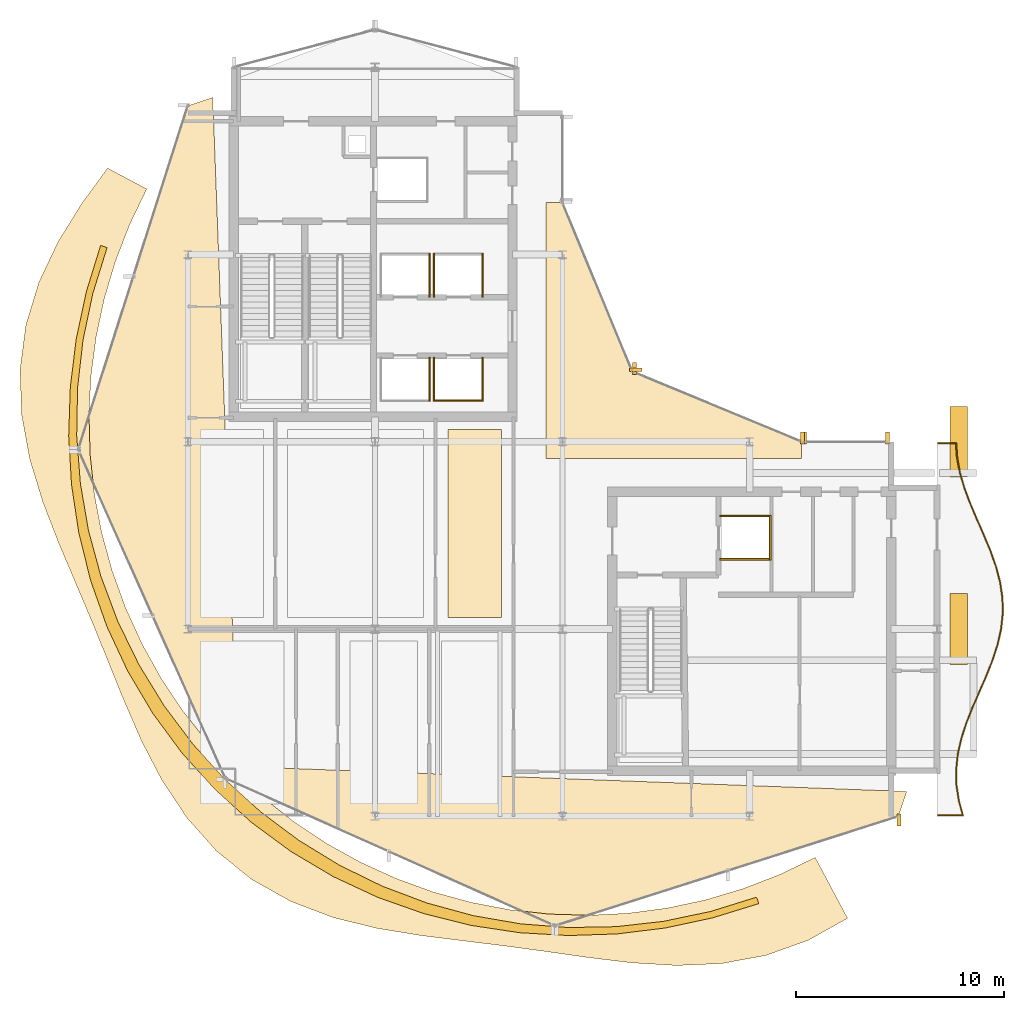
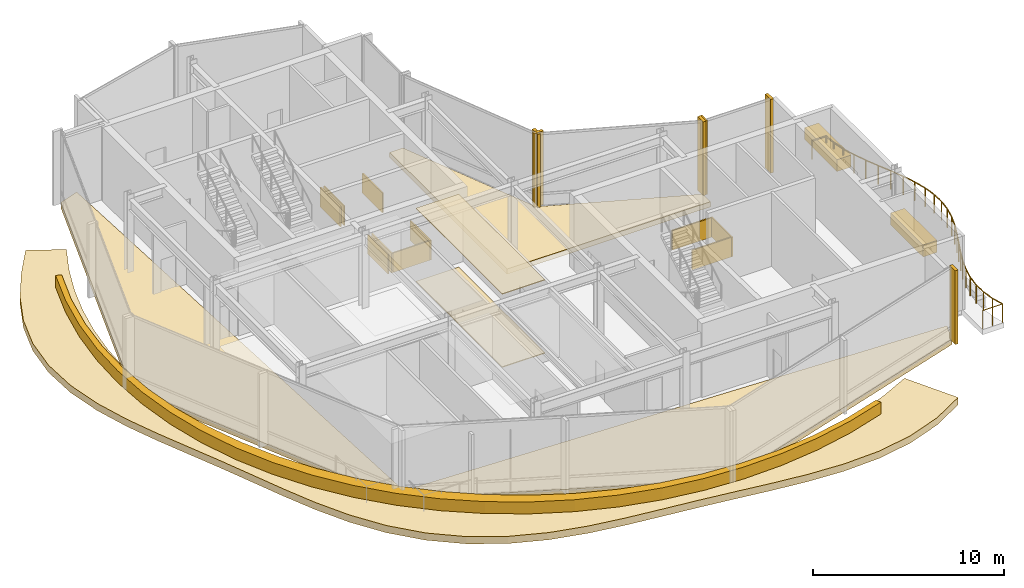
# One storey, part 21 of 23: 26 railings, 24 coverings.
"""IFC4 building model written with IfcOpenShell, lengths in metres."""

from ifc_helpers import new_model, si_unit, direction, frame, origin, origin_2d, place, context, subcontext, project, spatial, polyline, rectangle, circle, outline, extrude, material, layer, layer_set, type_object, element, save


model = new_model("IFC4")

# Units and contexts
model_context = context("Model", 3, precision=1e-05, world=origin(), true_north=direction((0.0, 1.0)))
body_context = subcontext(model_context, "Body", "Model", "MODEL_VIEW")
ifc_project = project(units=[si_unit("LENGTHUNIT", "METRE"), si_unit("AREAUNIT", "SQUARE_METRE"), si_unit("VOLUMEUNIT", "CUBIC_METRE"), si_unit("PLANEANGLEUNIT", "RADIAN"), si_unit("MASSUNIT", "GRAM", prefix="KILO")], contexts=[model_context])

# Site, building, storey
site_placement = place(None, origin())
site = spatial("IfcSite", under=ifc_project, at=site_placement, CompositionType="ELEMENT")
building_placement = place(site_placement, origin())
building = spatial("IfcBuilding", under=site, at=building_placement, Name="Solvaryn Broadcast Tower", CompositionType="ELEMENT")
storey_placement = place(building_placement, frame((0.0, 0.0, 235.800048828125)))
storey = spatial("IfcBuildingStorey", under=building, at=storey_placement, Name="L59", CompositionType="ELEMENT", Elevation=235.800048828125)

# Coverings
ifc_material_1 = material(Name="Micro-Perforated Acoustic Gypsum Ceiling", Category="concrete")
ifc_layer_1 = layer(ifc_material_1, 0.0400390625)
ifc_layer_set_1 = layer_set([ifc_layer_1], Name="CV-CEIL-ACOUSTIC")
covering_type_1 = type_object("IfcCoveringType", Name="CV-CEIL-ACOUSTIC", PredefinedType="CEILING", material=ifc_layer_set_1)
covering_1_placement = place(storey_placement, frame((0.0, 0.0, 4.679931640625)))
element("IfcCovering", 1, at=covering_1_placement, inside=storey, type_object=covering_type_1, Name="L59 Room Acoustic Ceiling 3", PredefinedType="CEILING", context=body_context, shape_type="SweptSolid", body=[
    extrude(outline(polyline([(21.5, 18.570068359375), (24.080078125, 18.570068359375), (24.080078125, 27.60009765625), (21.5, 27.60009765625), (21.5, 18.570068359375)])), origin(), (0.0, 0.0, 1.0), 0.0400390625),
])
ifc_material_2 = material(Name="Newsroom Raised Data Access Flooring", Category="steel")
ifc_layer_2 = layer(ifc_material_2, 0.050048828125)
ifc_layer_set_2 = layer_set([ifc_layer_2], Name="CV-FLOOR-RAISED")
covering_type_2 = type_object("IfcCoveringType", Name="CV-FLOOR-RAISED", PredefinedType="FLOORING", material=ifc_layer_set_2)
covering_2_placement = place(storey_placement, origin())
element("IfcCovering", 2, at=covering_2_placement, inside=storey, type_object=covering_type_2, Name="L59 Room Acoustic Floor Finish 3", PredefinedType="FLOORING", context=body_context, shape_type="SweptSolid", body=[
    extrude(outline(polyline([(21.5, 18.570068359375), (24.080078125, 18.570068359375), (24.080078125, 27.60009765625), (21.5, 27.60009765625), (21.5, 18.570068359375)])), origin(), (0.0, 0.0, 1.0), 0.050048828125),
])
ifc_material_3 = material(Name="Fire-Rated Gypsum Shaftwall Liner", Category="concrete")
ifc_layer_3 = layer(ifc_material_3, 0.080078125)
ifc_layer_set_3 = layer_set([ifc_layer_3], Name="CV-SHAFT-LINER")
covering_type_3 = type_object("IfcCoveringType", Name="CV-SHAFT-LINER", PredefinedType="CLADDING", material=ifc_layer_set_3)
covering_3_placement = place(storey_placement, frame((20.614990234375, 30.0, 0.0), z_axis=(0.0, 0.0, 1.0), x_axis=(1.0, 0.0, 0.0)))
element("IfcCovering", 3, at=covering_3_placement, inside=storey, type_object=covering_type_3, Name="L59 PH1 Hoistway Shaft Liner East", PredefinedType="CLADDING", context=body_context, shape_type="SweptSolid", body=[
    extrude(rectangle(XDim=0.080078125, YDim=2.110107421875, at=origin_2d()), origin(), (0.0, 0.0, 1.0), 1.25),
])
covering_4_placement = place(storey_placement, frame((22.0, 28.985107421875, 0.0), z_axis=(0.0, 0.0, 1.0), x_axis=(1.0, 0.0, 0.0)))
element("IfcCovering", 4, at=covering_4_placement, inside=storey, type_object=covering_type_3, Name="L59 PH2 Hoistway Shaft Liner South", PredefinedType="CLADDING", context=body_context, shape_type="SweptSolid", body=[
    extrude(rectangle(XDim=2.409912109375, YDim=0.080078125, at=origin_2d()), origin(), (0.0, 0.0, 1.0), 1.25),
])
for number, where, z_axis, x_axis, name in (
    (5, (23.1650390625, 30.0, 0.0), (0.0, 0.0, 1.0), (1.0, 0.0, 0.0), "L59 PH2 Hoistway Shaft Liner East"),
    (6, (20.8349609375, 30.0, 0.0), (0.0, 0.0, 1.0), (1.0, 0.0, 0.0), "L59 PH2 Hoistway Shaft Liner West"),
    (7, (20.614990234375, 35.0, 0.0), (0.0, 0.0, 1.0), (1.0, 0.0, 0.0), "L59 PH3 Hoistway Shaft Liner East"),
    (8, (23.1650390625, 35.0, 0.0), (0.0, 0.0, 1.0), (1.0, 0.0, 0.0), "L59 PH4 Hoistway Shaft Liner East"),
    (9, (20.8349609375, 35.0, 0.0), (0.0, 0.0, 1.0), (1.0, 0.0, 0.0), "L59 PH4 Hoistway Shaft Liner West"),
):
    element("IfcCovering", number, at=place(storey_placement, frame(where, z_axis=z_axis, x_axis=x_axis)), inside=storey, type_object=covering_type_3, Name=name, PredefinedType="CLADDING", context=body_context, shape_type="SweptSolid", body=[
        extrude(rectangle(XDim=0.080078125, YDim=2.110107421875, at=origin_2d()), origin(), (0.0, 0.0, 1.0), 1.25),
    ])
for number, where, z_axis, x_axis, name in (
    (10, (35.800048828125, 23.43994140625, 0.0), (0.0, 0.0, 1.0), (1.0, 0.0, 0.0), "L59 FL2 Hoistway Shaft Liner North"),
    (11, (35.800048828125, 21.360107421875, 0.0), (0.0, 0.0, 1.0), (1.0, 0.0, 0.0), "L59 FL2 Hoistway Shaft Liner South"),
):
    element("IfcCovering", number, at=place(storey_placement, frame(where, z_axis=z_axis, x_axis=x_axis)), inside=storey, type_object=covering_type_3, Name=name, PredefinedType="CLADDING", context=body_context, shape_type="SweptSolid", body=[
        extrude(rectangle(XDim=2.4599609375, YDim=0.080078125, at=origin_2d()), origin(), (0.0, 0.0, 1.0), 1.25),
    ])
covering_5_placement = place(storey_placement, frame((36.989990234375, 22.39990234375, 0.0), z_axis=(0.0, 0.0, 1.0), x_axis=(1.0, 0.0, 0.0)))
element("IfcCovering", 12, at=covering_5_placement, inside=storey, type_object=covering_type_3, Name="L59 FL2 Hoistway Shaft Liner East", PredefinedType="CLADDING", context=body_context, shape_type="SweptSolid", body=[
    extrude(rectangle(XDim=0.080078125, YDim=2.159912109375, at=origin_2d()), origin(), (0.0, 0.0, 1.0), 1.25),
])
ifc_material_4 = material(Name="Glazed Architectural Terracotta Rainscreen Cladding", Category="masonry")
ifc_layer_4 = layer(ifc_material_4, 0.280029296875)
ifc_layer_set_4 = layer_set([ifc_layer_4], Name="CV-TC-CLAD")
covering_type_4 = type_object("IfcCoveringType", Name="CV-TC-CLAD", PredefinedType="CLADDING", material=ifc_layer_set_4)
covering_6_placement = place(storey_placement, origin())
element("IfcCovering", 13, at=covering_6_placement, inside=storey, type_object=covering_type_4, Name="L59 Drum Ring Terrace Planter Parapet", PredefinedType="CLADDING", context=body_context, shape_type="SweptSolid", body=[
    extrude(outline(polyline([(4.81201171875, 36.43994140625), (4.125, 34.2119140625), (3.636962890625, 31.930908203125), (3.35302734375, 29.614990234375), (3.27587890625, 27.281005859375), (3.412109375, 24.945068359375), (3.761962890625, 22.626953125), (4.3291015625, 20.346923828125), (5.112060546875, 18.126953125), (6.10888671875, 15.989990234375), (7.31298828125, 13.958984375), (8.715087890625, 12.054931640625), (10.301025390625, 10.301025390625), (12.054931640625, 8.715087890625), (13.958984375, 7.31298828125), (15.989990234375, 6.10888671875), (18.126953125, 5.112060546875), (20.346923828125, 4.3291015625), (22.626953125, 3.761962890625), (24.945068359375, 3.412109375), (27.281005859375, 3.27587890625), (29.614990234375, 3.35302734375), (31.930908203125, 3.636962890625), (34.2119140625, 4.125), (36.43994140625, 4.81201171875), (36.327880859375, 5.117919921875), (34.131103515625, 4.43408203125), (31.87890625, 3.9609375), (29.593017578125, 3.701904296875), (27.2919921875, 3.659912109375), (24.9970703125, 3.8359375), (22.72998046875, 4.22705078125), (20.509033203125, 4.8310546875), (18.35498046875, 5.64111328125), (16.2880859375, 6.652099609375), (14.324951171875, 7.85302734375), (12.48388671875, 9.23291015625), (10.781982421875, 10.781982421875), (9.23291015625, 12.48388671875), (7.85302734375, 14.324951171875), (6.652099609375, 16.2880859375), (5.64111328125, 18.35498046875), (4.8310546875, 20.509033203125), (4.22705078125, 22.72998046875), (3.8359375, 24.9970703125), (3.659912109375, 27.2919921875), (3.701904296875, 29.593017578125), (3.9609375, 31.87890625), (4.43408203125, 34.131103515625), (5.117919921875, 36.327880859375), (4.81201171875, 36.43994140625)])), origin(), (0.0, 0.0, 1.0), 0.89990234375),
])
for number, where, z_axis, x_axis, name in (
    (14, (46.050048828125, 18.0, 0.0), (0.0, 0.0, 1.0), (1.0, 0.0, 0.0), "L59 Sky-Garden Planter Bed 1"),
    (15, (46.050048828125, 27.0, 0.0), (0.0, 0.0, 1.0), (1.0, 0.0, 0.0), "L59 Sky-Garden Planter Bed 2"),
):
    element("IfcCovering", number, at=place(storey_placement, frame(where, z_axis=z_axis, x_axis=x_axis)), inside=storey, type_object=covering_type_4, Name=name, PredefinedType="CLADDING", context=body_context, shape_type="SweptSolid", body=[
        extrude(rectangle(XDim=0.85009765625, YDim=3.39990234375, at=origin_2d()), origin(), (0.0, 0.0, 1.0), 0.760009765625),
    ])
ifc_material_5 = material(Name="Extruded Architectural Terracotta Fin", Category="masonry")
ifc_layer_5 = layer(ifc_material_5, 0.179931640625)
ifc_layer_set_5 = layer_set([ifc_layer_5], Name="CV-TC-FIN")
covering_type_5 = type_object("IfcCoveringType", Name="CV-TC-FIN", PredefinedType="USERDEFINED", material=ifc_layer_set_5)
for number, where, z_axis, x_axis, name in (
    (16, (43.17529296875, 8.819091796875, 0.0), (0.0, 0.0, 1.0), (1.0, 0.0, 0.0), "L59 Terracotta Vertical Fin FIN-L59-DR4-M02"),
    (17, (38.541259765625, 27.177978515625, 0.0), (0.0, 0.0, 1.0), (1.0, 0.0, 0.0), "L59 Terracotta Vertical Fin FIN-L59-CN1-M00"),
    (18, (30.464599609375, 30.52294921875, 0.0), (0.0, 0.0, 1.0), (1.0, 0.0, 0.0), "L59 Terracotta Vertical Fin FIN-L59-CN1-M01"),
):
    element("IfcCovering", number, at=place(storey_placement, frame(where, z_axis=z_axis, x_axis=x_axis)), inside=storey, type_object=covering_type_5, Name=name, ObjectType="FIN", PredefinedType="USERDEFINED", context=body_context, shape_type="SweptSolid", body=[
        extrude(rectangle(XDim=0.179931640625, YDim=0.580078125, at=origin_2d()), origin(), (0.0, 0.0, 1.0), 4.719970703125),
    ])
covering_7_placement = place(storey_placement, frame((30.52294921875, 30.464599609375, 0.0), z_axis=(0.0, 0.0, 1.0), x_axis=(1.0, 0.0, 0.0)))
element("IfcCovering", 19, at=covering_7_placement, inside=storey, type_object=covering_type_5, Name="L59 Terracotta Vertical Fin FIN-L59-CN2-M00", ObjectType="FIN", PredefinedType="USERDEFINED", context=body_context, shape_type="SweptSolid", body=[
    extrude(rectangle(XDim=0.580078125, YDim=0.179931640625, at=origin_2d()), origin(), (0.0, 0.0, 1.0), 4.719970703125),
])
for number, where, z_axis, x_axis, name in (
    (20, (38.6298828125, 27.1875, 0.0), (0.0, 0.0, 1.0), (1.0, 0.0, 0.0), "L59 Terracotta Vertical Fin FIN-L59-IH-M00"),
    (21, (42.6201171875, 27.1875, 0.0), (0.0, 0.0, 1.0), (1.0, 0.0, 0.0), "L59 Terracotta Vertical Fin FIN-L59-IH-M01"),
):
    element("IfcCovering", number, at=place(storey_placement, frame(where, z_axis=z_axis, x_axis=x_axis)), inside=storey, type_object=covering_type_5, Name=name, ObjectType="FIN", PredefinedType="USERDEFINED", context=body_context, shape_type="SweptSolid", body=[
        extrude(rectangle(XDim=0.179931640625, YDim=0.580078125, at=origin_2d()), origin(), (0.0, 0.0, 1.0), 4.719970703125),
    ])
ifc_material_6 = material(Name="Sculpted Architectural Terracotta Wave Fascia", Category="masonry")
ifc_layer_6 = layer(ifc_material_6, 0.340087890625)
ifc_layer_set_6 = layer_set([ifc_layer_6], Name="CV-WAVE-TRAY")
covering_type_6 = type_object("IfcCoveringType", Name="CV-WAVE-TRAY", PredefinedType="CLADDING", material=ifc_layer_set_6)
covering_8_placement = place(storey_placement, frame((0.0, 0.0, -0.300048828125)))
element("IfcCovering", 22, at=covering_8_placement, inside=storey, type_object=covering_type_6, Name="L59 Stepped Cylindrical Drum Floor Apron", PredefinedType="CLADDING", context=body_context, shape_type="SweptSolid", body=[
    extrude(outline(polyline([(10.199951171875, 43.549072265625), (9.0, 43.14892578125), (3.738037109375, 26.635986328125), (10.81689453125, 10.81689453125), (26.635986328125, 3.738037109375), (43.14892578125, 9.0), (43.14892578125, 9.0), (43.549072265625, 10.199951171875), (11.39990234375, 11.39990234375), (10.199951171875, 43.549072265625)])), origin(), (0.0, 0.0, 1.0), 0.330078125),
])
covering_9_placement = place(storey_placement, frame((0.0, 0.0, -0.300048828125)))
element("IfcCovering", 23, at=covering_9_placement, inside=storey, type_object=covering_type_6, Name="L59 Concave Canyon Floor Apron", PredefinedType="CLADDING", context=body_context, shape_type="SweptSolid", body=[
    extrude(outline(polyline([(26.199951171875, 26.199951171875), (38.5, 26.199951171875), (38.5, 27.0), (30.367919921875, 30.367919921875), (27.0, 38.5), (26.199951171875, 38.5), (26.199951171875, 26.199951171875)])), origin(), (0.0, 0.0, 1.0), 0.330078125),
])
covering_10_placement = place(storey_placement, frame((0.0, 0.0, -0.320068359375)))
element("IfcCovering", 24, at=covering_10_placement, inside=storey, type_object=covering_type_6, Name="L59 Stepped Cylindrical Drum Wave Ring Terrace", PredefinedType="CLADDING", context=body_context, shape_type="SweptSolid", body=[
    extrude(outline(polyline([(5.14306640625, 40.153076171875), (3.89990234375, 38.447998046875), (2.76904296875, 36.6259765625), (1.844970703125, 34.673095703125), (1.216064453125, 32.60205078125), (0.93603515625, 30.45703125), (1.012939453125, 28.2939453125), (1.403076171875, 26.1689453125), (2.027099609375, 24.117919921875), (2.787109375, 22.14990234375), (3.593994140625, 20.24609375), (4.387939453125, 18.3701171875), (5.155029296875, 16.485107421875), (5.926025390625, 14.572021484375), (6.764892578125, 12.64306640625), (7.7490234375, 10.741943359375), (8.943115234375, 8.943115234375), (10.383056640625, 7.327880859375), (12.06689453125, 5.969970703125), (13.9541015625, 4.908935546875), (15.97509765625, 4.14306640625), (18.06005859375, 3.626953125), (20.14697265625, 3.282958984375), (22.205078125, 3.02294921875), (24.22998046875, 2.77490234375), (26.2451171875, 2.501953125), (28.281005859375, 2.2119140625), (30.364013671875, 1.9609375), (32.49609375, 1.8349609375), (34.652099609375, 1.928955078125), (36.780029296875, 2.320068359375), (38.81689453125, 3.048095703125), (40.705078125, 4.10498046875), (39.14990234375, 7.030029296875), (37.447021484375, 6.2099609375), (35.68310546875, 5.527099609375), (33.87109375, 4.987060546875), (32.02197265625, 4.593017578125), (30.14697265625, 4.346923828125), (28.259033203125, 4.2509765625), (26.368896484375, 4.305908203125), (24.489990234375, 4.510986328125), (22.632080078125, 4.864990234375), (20.80908203125, 5.364990234375), (19.031005859375, 6.009033203125), (17.31005859375, 6.7919921875), (15.656982421875, 7.708984375), (14.08203125, 8.7548828125), (12.594970703125, 9.924072265625), (11.2060546875, 11.2060546875), (9.924072265625, 12.594970703125), (8.7548828125, 14.08203125), (7.708984375, 15.656982421875), (6.7919921875, 17.31005859375), (6.009033203125, 19.031005859375), (5.364990234375, 20.80908203125), (4.864990234375, 22.632080078125), (4.510986328125, 24.489990234375), (4.305908203125, 26.368896484375), (4.2509765625, 28.259033203125), (4.346923828125, 30.14697265625), (4.593017578125, 32.02197265625), (4.987060546875, 33.87109375), (5.527099609375, 35.68310546875), (6.2099609375, 37.447021484375), (7.030029296875, 39.14990234375), (5.14306640625, 40.153076171875)])), origin(), (0.0, 0.0, 1.0), 0.4599609375),
])

# Railings
ifc_material_7 = material(Name="Stainless Steel and Laminated Glass Guard", Category="steel")
railing_type = type_object("IfcRailingType", Name="RL-SKYG-1200", PredefinedType="BALUSTRADE", material=ifc_material_7)
railing_1_placement = place(storey_placement, frame((45.06005859375, 9.06005859375, 0.0)))
element("IfcRailing", 25, at=railing_1_placement, inside=storey, type_object=railing_type, Name="L59 Terrace Guard TSSG4-1", PredefinedType="BALUSTRADE", context=body_context, shape_type="SweptSolid", body=[
    extrude(circle(Radius=0.02392578125, at=origin_2d()), frame((0.0, 0.0, 1.17578125), z_axis=(1.0, 0.0, 0.0), x_axis=(0.0, 1.0, 0.0)), (0.0, 0.0, 1.0), 1.184326171875),
    extrude(circle(Radius=0.02099609375, at=origin_2d()), origin(), (0.0, 0.0, 1.0), 1.15185546875),
    extrude(circle(Radius=0.02099609375, at=origin_2d()), frame((0.59228515625, 0.0, 0.0)), (0.0, 0.0, 1.0), 1.15185546875),
    extrude(circle(Radius=0.02099609375, at=origin_2d()), frame((1.184326171875, 0.0, 0.0)), (0.0, 0.0, 1.0), 1.15185546875),
])
railing_2_placement = place(storey_placement, frame((46.244384765625, 9.06005859375, 0.0)))
element("IfcRailing", 26, at=railing_2_placement, inside=storey, type_object=railing_type, Name="L59 Terrace Guard TSSG4-2", PredefinedType="BALUSTRADE", context=body_context, shape_type="SweptSolid", body=[
    extrude(circle(Radius=0.02392578125, at=origin_2d()), frame((0.0, 0.0, 1.17578125), z_axis=(-0.273956928306, 0.96174196198, 0.0), x_axis=(-0.96174196198, -0.273956928306, 0.0)), (0.0, 0.0, 1.0), 0.71728515625),
    extrude(circle(Radius=0.02099609375, at=origin_2d()), origin(), (0.0, 0.0, 1.0), 1.15185546875),
    extrude(circle(Radius=0.02099609375, at=origin_2d()), frame((-0.196533203125, 0.68994140625, 0.0)), (0.0, 0.0, 1.0), 1.15185546875),
])
railing_3_placement = place(storey_placement, frame((46.0478515625, 9.75, 0.0)))
element("IfcRailing", 27, at=railing_3_placement, inside=storey, type_object=railing_type, Name="L59 Terrace Guard TSSG4-3", PredefinedType="BALUSTRADE", context=body_context, shape_type="SweptSolid", body=[
    extrude(circle(Radius=0.02392578125, at=origin_2d()), frame((0.0, 0.0, 1.17578125), z_axis=(-0.146828724135, 0.989161931015, 0.0), x_axis=(-0.989161931015, -0.146828724135, 0.0)), (0.0, 0.0, 1.0), 0.75830078125),
    extrude(circle(Radius=0.02099609375, at=origin_2d()), origin(), (0.0, 0.0, 1.0), 1.15185546875),
    extrude(circle(Radius=0.02099609375, at=origin_2d()), frame((-0.111328125, 0.75, 0.0)), (0.0, 0.0, 1.0), 1.15185546875),
])
railing_4_placement = place(storey_placement, frame((45.9365234375, 10.5, 0.0)))
element("IfcRailing", 28, at=railing_4_placement, inside=storey, type_object=railing_type, Name="L59 Terrace Guard TSSG4-4", PredefinedType="BALUSTRADE", context=body_context, shape_type="SweptSolid", body=[
    extrude(circle(Radius=0.02392578125, at=origin_2d()), frame((0.0, 0.0, 1.17578125), z_axis=(-0.021479418354, 0.99976929068, 0.0), x_axis=(-0.99976929068, -0.021479418354, 0.0)), (0.0, 0.0, 1.0), 0.750244140625),
    extrude(circle(Radius=0.02099609375, at=origin_2d()), origin(), (0.0, 0.0, 1.0), 1.15185546875),
    extrude(circle(Radius=0.02099609375, at=origin_2d()), frame((-0.01611328125, 0.75, 0.0)), (0.0, 0.0, 1.0), 1.15185546875),
])
railing_5_placement = place(storey_placement, frame((45.92041015625, 11.25, 0.0)))
element("IfcRailing", 29, at=railing_5_placement, inside=storey, type_object=railing_type, Name="L59 Terrace Guard TSSG4-5", PredefinedType="BALUSTRADE", context=body_context, shape_type="SweptSolid", body=[
    extrude(circle(Radius=0.02392578125, at=origin_2d()), frame((0.0, 0.0, 1.17578125), z_axis=(0.106167393545, 0.994348271255, 0.0), x_axis=(-0.994348271255, 0.106167393545, 0.0)), (0.0, 0.0, 1.0), 0.754150390625),
    extrude(circle(Radius=0.02099609375, at=origin_2d()), origin(), (0.0, 0.0, 1.0), 1.15185546875),
    extrude(circle(Radius=0.02099609375, at=origin_2d()), frame((0.080078125, 0.75, 0.0)), (0.0, 0.0, 1.0), 1.15185546875),
])
railing_6_placement = place(storey_placement, frame((46.00048828125, 12.0, 0.0)))
element("IfcRailing", 30, at=railing_6_placement, inside=storey, type_object=railing_type, Name="L59 Terrace Guard TSSG4-6", PredefinedType="BALUSTRADE", context=body_context, shape_type="SweptSolid", body=[
    extrude(circle(Radius=0.02392578125, at=origin_2d()), frame((0.0, 0.0, 1.17578125), z_axis=(0.22096240215, 0.975282326732, 0.0), x_axis=(-0.975282326732, 0.22096240215, 0.0)), (0.0, 0.0, 1.0), 0.76904296875),
    extrude(circle(Radius=0.02099609375, at=origin_2d()), origin(), (0.0, 0.0, 1.0), 1.15185546875),
    extrude(circle(Radius=0.02099609375, at=origin_2d()), frame((0.169921875, 0.75, 0.0)), (0.0, 0.0, 1.0), 1.15185546875),
])
railing_7_placement = place(storey_placement, frame((46.17041015625, 12.75, 0.0)))
element("IfcRailing", 31, at=railing_7_placement, inside=storey, type_object=railing_type, Name="L59 Terrace Guard TSSG4-7", PredefinedType="BALUSTRADE", context=body_context, shape_type="SweptSolid", body=[
    extrude(circle(Radius=0.02392578125, at=origin_2d()), frame((0.0, 0.0, 1.17578125), z_axis=(0.310093572003, 0.95070604111, 0.0), x_axis=(-0.95070604111, 0.310093572003, 0.0)), (0.0, 0.0, 1.0), 0.788818359375),
    extrude(circle(Radius=0.02099609375, at=origin_2d()), origin(), (0.0, 0.0, 1.0), 1.15185546875),
    extrude(circle(Radius=0.02099609375, at=origin_2d()), frame((0.24462890625, 0.75, 0.0)), (0.0, 0.0, 1.0), 1.15185546875),
])
railing_8_placement = place(storey_placement, frame((46.4150390625, 13.5, 0.0)))
element("IfcRailing", 32, at=railing_8_placement, inside=storey, type_object=railing_type, Name="L59 Terrace Guard TSSG4-8", PredefinedType="BALUSTRADE", context=body_context, shape_type="SweptSolid", body=[
    extrude(circle(Radius=0.02392578125, at=origin_2d()), frame((0.0, 0.0, 1.17578125), z_axis=(0.369616906024, 0.929184235112, 0.0), x_axis=(-0.929184235112, 0.369616906024, 0.0)), (0.0, 0.0, 1.0), 0.80712890625),
    extrude(circle(Radius=0.02099609375, at=origin_2d()), origin(), (0.0, 0.0, 1.0), 1.15185546875),
    extrude(circle(Radius=0.02099609375, at=origin_2d()), frame((0.29833984375, 0.75, 0.0)), (0.0, 0.0, 1.0), 1.15185546875),
])
for number, where, name in (
    (33, (46.71337890625, 14.25, 0.0), "L59 Terrace Guard TSSG4-9"),
    (34, (47.0400390625, 15.0, 0.0), "L59 Terrace Guard TSSG4-10"),
):
    element("IfcRailing", number, at=place(storey_placement, frame(where)), inside=storey, type_object=railing_type, Name=name, PredefinedType="BALUSTRADE", context=body_context, shape_type="SweptSolid", body=[
        extrude(circle(Radius=0.02392578125, at=origin_2d()), frame((0.0, 0.0, 1.17578125), z_axis=(0.399315321456, 0.916813652849, 0.0), x_axis=(-0.916813652849, 0.399315321456, 0.0)), (0.0, 0.0, 1.0), 0.818115234375),
        extrude(circle(Radius=0.02099609375, at=origin_2d()), origin(), (0.0, 0.0, 1.0), 1.15185546875),
        extrude(circle(Radius=0.02099609375, at=origin_2d()), frame((0.32666015625, 0.75, 0.0)), (0.0, 0.0, 1.0), 1.15185546875),
    ])
railing_9_placement = place(storey_placement, frame((47.36669921875, 15.75, 0.0)))
element("IfcRailing", 35, at=railing_9_placement, inside=storey, type_object=railing_type, Name="L59 Terrace Guard TSSG4-11", PredefinedType="BALUSTRADE", context=body_context, shape_type="SweptSolid", body=[
    extrude(circle(Radius=0.02392578125, at=origin_2d()), frame((0.0, 0.0, 1.17578125), z_axis=(0.369616906024, 0.929184235112, 0.0), x_axis=(-0.929184235112, 0.369616906024, 0.0)), (0.0, 0.0, 1.0), 0.80712890625),
    extrude(circle(Radius=0.02099609375, at=origin_2d()), origin(), (0.0, 0.0, 1.0), 1.15185546875),
    extrude(circle(Radius=0.02099609375, at=origin_2d()), frame((0.29833984375, 0.75, 0.0)), (0.0, 0.0, 1.0), 1.15185546875),
])
railing_10_placement = place(storey_placement, frame((47.6650390625, 16.5, 0.0)))
element("IfcRailing", 36, at=railing_10_placement, inside=storey, type_object=railing_type, Name="L59 Terrace Guard TSSG4-12", PredefinedType="BALUSTRADE", context=body_context, shape_type="SweptSolid", body=[
    extrude(circle(Radius=0.02392578125, at=origin_2d()), frame((0.0, 0.0, 1.17578125), z_axis=(0.310093572003, 0.95070604111, 0.0), x_axis=(-0.95070604111, 0.310093572003, 0.0)), (0.0, 0.0, 1.0), 0.788818359375),
    extrude(circle(Radius=0.02099609375, at=origin_2d()), origin(), (0.0, 0.0, 1.0), 1.15185546875),
    extrude(circle(Radius=0.02099609375, at=origin_2d()), frame((0.24462890625, 0.75, 0.0)), (0.0, 0.0, 1.0), 1.15185546875),
])
railing_11_placement = place(storey_placement, frame((47.90966796875, 17.25, 0.0)))
element("IfcRailing", 37, at=railing_11_placement, inside=storey, type_object=railing_type, Name="L59 Terrace Guard TSSG4-13", PredefinedType="BALUSTRADE", context=body_context, shape_type="SweptSolid", body=[
    extrude(circle(Radius=0.02392578125, at=origin_2d()), frame((0.0, 0.0, 1.17578125), z_axis=(0.220660396178, 0.975350700804, 0.0), x_axis=(-0.975350700804, 0.220660396178, 0.0)), (0.0, 0.0, 1.0), 0.76904296875),
    extrude(circle(Radius=0.02099609375, at=origin_2d()), origin(), (0.0, 0.0, 1.0), 1.15185546875),
    extrude(circle(Radius=0.02099609375, at=origin_2d()), frame((0.169677734375, 0.75, 0.0)), (0.0, 0.0, 1.0), 1.15185546875),
])
railing_12_placement = place(storey_placement, frame((48.079345703125, 18.0, 0.0)))
element("IfcRailing", 38, at=railing_12_placement, inside=storey, type_object=railing_type, Name="L59 Terrace Guard TSSG4-14", PredefinedType="BALUSTRADE", context=body_context, shape_type="SweptSolid", body=[
    extrude(circle(Radius=0.02392578125, at=origin_2d()), frame((0.0, 0.0, 1.17578125), z_axis=(0.106487409735, 0.994314050775, 0.0), x_axis=(-0.994314050775, 0.106487409735, 0.0)), (0.0, 0.0, 1.0), 0.75439453125),
    extrude(circle(Radius=0.02099609375, at=origin_2d()), origin(), (0.0, 0.0, 1.0), 1.15185546875),
    extrude(circle(Radius=0.02099609375, at=origin_2d()), frame((0.080322265625, 0.75, 0.0)), (0.0, 0.0, 1.0), 1.15185546875),
])
railing_13_placement = place(storey_placement, frame((48.15966796875, 18.75, 0.0)))
element("IfcRailing", 39, at=railing_13_placement, inside=storey, type_object=railing_type, Name="L59 Terrace Guard TSSG4-15", PredefinedType="BALUSTRADE", context=body_context, shape_type="SweptSolid", body=[
    extrude(circle(Radius=0.02392578125, at=origin_2d()), frame((0.0, 0.0, 1.17578125), z_axis=(-0.02180471051, 0.999762249037, 0.0), x_axis=(-0.999762249037, -0.02180471051, 0.0)), (0.0, 0.0, 1.0), 0.750244140625),
    extrude(circle(Radius=0.02099609375, at=origin_2d()), origin(), (0.0, 0.0, 1.0), 1.15185546875),
    extrude(circle(Radius=0.02099609375, at=origin_2d()), frame((-0.016357421875, 0.75, 0.0)), (0.0, 0.0, 1.0), 1.15185546875),
])
railing_14_placement = place(storey_placement, frame((48.143310546875, 19.5, 0.0)))
element("IfcRailing", 40, at=railing_14_placement, inside=storey, type_object=railing_type, Name="L59 Terrace Guard TSSG4-16", PredefinedType="BALUSTRADE", context=body_context, shape_type="SweptSolid", body=[
    extrude(circle(Radius=0.02392578125, at=origin_2d()), frame((0.0, 0.0, 1.17578125), z_axis=(-0.146513650729, 0.989208648441, 0.0), x_axis=(-0.989208648441, -0.146513650729, 0.0)), (0.0, 0.0, 1.0), 0.75830078125),
    extrude(circle(Radius=0.02099609375, at=origin_2d()), origin(), (0.0, 0.0, 1.0), 1.15185546875),
    extrude(circle(Radius=0.02099609375, at=origin_2d()), frame((-0.111083984375, 0.75, 0.0)), (0.0, 0.0, 1.0), 1.15185546875),
])
railing_15_placement = place(storey_placement, frame((48.0322265625, 20.25, 0.0)))
element("IfcRailing", 41, at=railing_15_placement, inside=storey, type_object=railing_type, Name="L59 Terrace Guard TSSG4-17", PredefinedType="BALUSTRADE", context=body_context, shape_type="SweptSolid", body=[
    extrude(circle(Radius=0.02392578125, at=origin_2d()), frame((0.0, 0.0, 1.17578125), z_axis=(-0.253780299957, 0.967261887678, 0.0), x_axis=(-0.967261887678, -0.253780299957, 0.0)), (0.0, 0.0, 1.0), 0.775390625),
    extrude(circle(Radius=0.02099609375, at=origin_2d()), origin(), (0.0, 0.0, 1.0), 1.15185546875),
    extrude(circle(Radius=0.02099609375, at=origin_2d()), frame((-0.19677734375, 0.75, 0.0)), (0.0, 0.0, 1.0), 1.15185546875),
])
railing_16_placement = place(storey_placement, frame((47.83544921875, 21.0, 0.0)))
element("IfcRailing", 42, at=railing_16_placement, inside=storey, type_object=railing_type, Name="L59 Terrace Guard TSSG4-18", PredefinedType="BALUSTRADE", context=body_context, shape_type="SweptSolid", body=[
    extrude(circle(Radius=0.02392578125, at=origin_2d()), frame((0.0, 0.0, 1.17578125), z_axis=(-0.333301683221, 0.942820230989, 0.0), x_axis=(-0.942820230989, -0.333301683221, 0.0)), (0.0, 0.0, 1.0), 0.79541015625),
    extrude(circle(Radius=0.02099609375, at=origin_2d()), origin(), (0.0, 0.0, 1.0), 1.15185546875),
    extrude(circle(Radius=0.02099609375, at=origin_2d()), frame((-0.26513671875, 0.75, 0.0)), (0.0, 0.0, 1.0), 1.15185546875),
])
railing_17_placement = place(storey_placement, frame((47.5703125, 21.75, 0.0)))
element("IfcRailing", 43, at=railing_17_placement, inside=storey, type_object=railing_type, Name="L59 Terrace Guard TSSG4-19", PredefinedType="BALUSTRADE", context=body_context, shape_type="SweptSolid", body=[
    extrude(circle(Radius=0.02392578125, at=origin_2d()), frame((0.0, 0.0, 1.17578125), z_axis=(-0.382820994177, 0.923822540544, 0.0), x_axis=(-0.923822540544, -0.382820994177, 0.0)), (0.0, 0.0, 1.0), 0.811767578125),
    extrude(circle(Radius=0.02099609375, at=origin_2d()), origin(), (0.0, 0.0, 1.0), 1.15185546875),
    extrude(circle(Radius=0.02099609375, at=origin_2d()), frame((-0.310791015625, 0.75, 0.0)), (0.0, 0.0, 1.0), 1.15185546875),
])
railing_18_placement = place(storey_placement, frame((47.259521484375, 22.5, 0.0)))
element("IfcRailing", 44, at=railing_18_placement, inside=storey, type_object=railing_type, Name="L59 Terrace Guard TSSG4-20", PredefinedType="BALUSTRADE", context=body_context, shape_type="SweptSolid", body=[
    extrude(circle(Radius=0.02392578125, at=origin_2d()), frame((0.0, 0.0, 1.17578125), z_axis=(-0.402568847515, 0.915389711003, 0.0), x_axis=(-0.915389711003, -0.402568847515, 0.0)), (0.0, 0.0, 1.0), 0.8193359375),
    extrude(circle(Radius=0.02099609375, at=origin_2d()), origin(), (0.0, 0.0, 1.0), 1.15185546875),
    extrude(circle(Radius=0.02099609375, at=origin_2d()), frame((-0.329833984375, 0.75, 0.0)), (0.0, 0.0, 1.0), 1.15185546875),
])
railing_19_placement = place(storey_placement, frame((46.9296875, 23.25, 0.0)))
element("IfcRailing", 45, at=railing_19_placement, inside=storey, type_object=railing_type, Name="L59 Terrace Guard TSSG4-21", PredefinedType="BALUSTRADE", context=body_context, shape_type="SweptSolid", body=[
    extrude(circle(Radius=0.02392578125, at=origin_2d()), frame((0.0, 0.0, 1.17578125), z_axis=(-0.392509604387, 0.919747905931, 0.0), x_axis=(-0.919747905931, -0.392509604387, 0.0)), (0.0, 0.0, 1.0), 0.8154296875),
    extrude(circle(Radius=0.02099609375, at=origin_2d()), origin(), (0.0, 0.0, 1.0), 1.15185546875),
    extrude(circle(Radius=0.02099609375, at=origin_2d()), frame((-0.320068359375, 0.75, 0.0)), (0.0, 0.0, 1.0), 1.15185546875),
])
railing_20_placement = place(storey_placement, frame((46.609619140625, 24.0, 0.0)))
element("IfcRailing", 46, at=railing_20_placement, inside=storey, type_object=railing_type, Name="L59 Terrace Guard TSSG4-22", PredefinedType="BALUSTRADE", context=body_context, shape_type="SweptSolid", body=[
    extrude(circle(Radius=0.02392578125, at=origin_2d()), frame((0.0, 0.0, 1.17578125), z_axis=(-0.353258431631, 0.935525777561, 0.0), x_axis=(-0.935525777561, -0.353258431631, 0.0)), (0.0, 0.0, 1.0), 0.8017578125),
    extrude(circle(Radius=0.02099609375, at=origin_2d()), origin(), (0.0, 0.0, 1.0), 1.15185546875),
    extrude(circle(Radius=0.02099609375, at=origin_2d()), frame((-0.283203125, 0.75, 0.0)), (0.0, 0.0, 1.0), 1.15185546875),
])
railing_21_placement = place(storey_placement, frame((46.326416015625, 24.75, 0.0)))
element("IfcRailing", 47, at=railing_21_placement, inside=storey, type_object=railing_type, Name="L59 Terrace Guard TSSG4-23", PredefinedType="BALUSTRADE", context=body_context, shape_type="SweptSolid", body=[
    extrude(circle(Radius=0.02392578125, at=origin_2d()), frame((0.0, 0.0, 1.17578125), z_axis=(-0.283737593123, 0.958901964879, 0.0), x_axis=(-0.958901964879, -0.283737593123, 0.0)), (0.0, 0.0, 1.0), 0.7822265625),
    extrude(circle(Radius=0.02099609375, at=origin_2d()), origin(), (0.0, 0.0, 1.0), 1.15185546875),
    extrude(circle(Radius=0.02099609375, at=origin_2d()), frame((-0.221923828125, 0.75, 0.0)), (0.0, 0.0, 1.0), 1.15185546875),
])
railing_22_placement = place(storey_placement, frame((46.1044921875, 25.5, 0.0)))
element("IfcRailing", 48, at=railing_22_placement, inside=storey, type_object=railing_type, Name="L59 Terrace Guard TSSG4-24", PredefinedType="BALUSTRADE", context=body_context, shape_type="SweptSolid", body=[
    extrude(circle(Radius=0.02392578125, at=origin_2d()), frame((0.0, 0.0, 1.17578125), z_axis=(-0.184906584209, 0.982756101541, 0.0), x_axis=(-0.982756101541, -0.184906584209, 0.0)), (0.0, 0.0, 1.0), 0.76318359375),
    extrude(circle(Radius=0.02099609375, at=origin_2d()), origin(), (0.0, 0.0, 1.0), 1.15185546875),
    extrude(circle(Radius=0.02099609375, at=origin_2d()), frame((-0.14111328125, 0.75, 0.0)), (0.0, 0.0, 1.0), 1.15185546875),
])
railing_23_placement = place(storey_placement, frame((45.96337890625, 26.25, 0.0)))
element("IfcRailing", 49, at=railing_23_placement, inside=storey, type_object=railing_type, Name="L59 Terrace Guard TSSG4-25", PredefinedType="BALUSTRADE", context=body_context, shape_type="SweptSolid", body=[
    extrude(circle(Radius=0.02392578125, at=origin_2d()), frame((0.0, 0.0, 1.17578125), z_axis=(-0.069892356245, 0.99755453913, 0.0), x_axis=(-0.99755453913, -0.069892356245, 0.0)), (0.0, 0.0, 1.0), 0.691650390625),
    extrude(circle(Radius=0.02099609375, at=origin_2d()), origin(), (0.0, 0.0, 1.0), 1.15185546875),
    extrude(circle(Radius=0.02099609375, at=origin_2d()), frame((-0.04833984375, 0.68994140625, 0.0)), (0.0, 0.0, 1.0), 1.15185546875),
])
railing_24_placement = place(storey_placement, frame((45.9150390625, 26.93994140625, 0.0)))
element("IfcRailing", 50, at=railing_24_placement, inside=storey, type_object=railing_type, Name="L59 Terrace Guard TSSG4-26", PredefinedType="BALUSTRADE", context=body_context, shape_type="SweptSolid", body=[
    extrude(circle(Radius=0.02392578125, at=origin_2d()), frame((0.0, 0.0, 1.17578125), z_axis=(-1.0, 0.0, 0.0), x_axis=(0.0, -1.0, 0.0)), (0.0, 0.0, 1.0), 0.85498046875),
    extrude(circle(Radius=0.02099609375, at=origin_2d()), origin(), (0.0, 0.0, 1.0), 1.15185546875),
    extrude(circle(Radius=0.02099609375, at=origin_2d()), frame((-0.85498046875, 0.0, 0.0)), (0.0, 0.0, 1.0), 1.15185546875),
])

save(model, "model.ifc")
